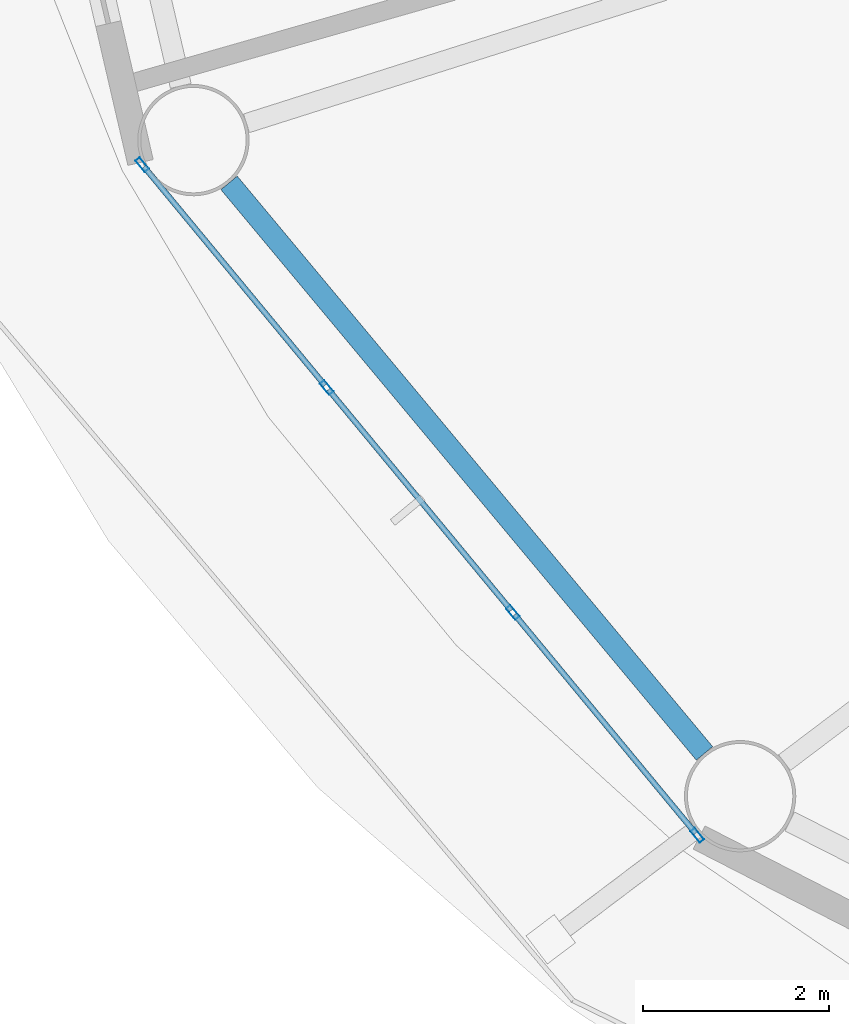
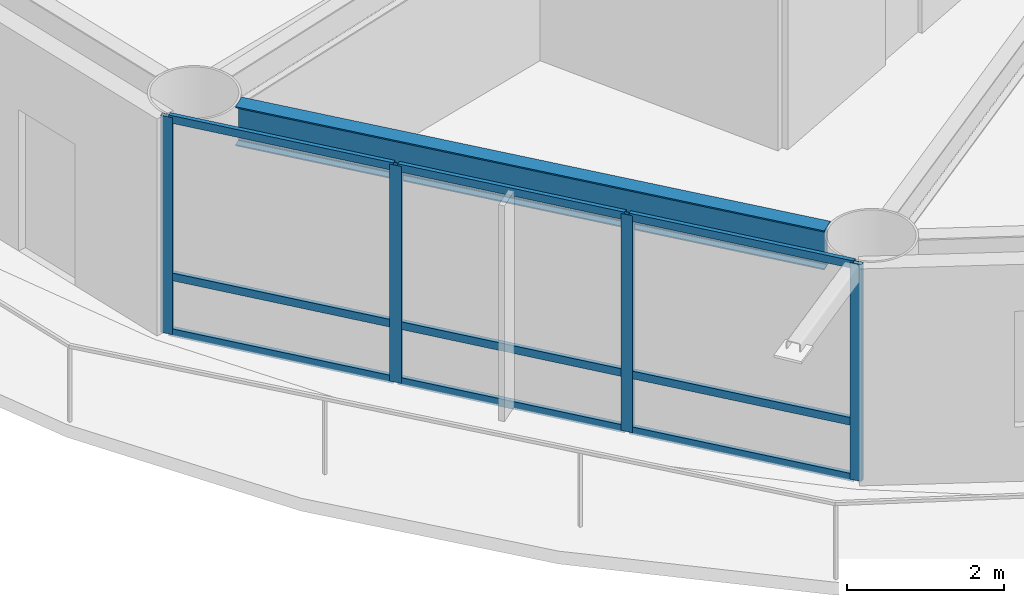
# One storey, part 2 of 24: 13 members, 1 beam, 1 element without a shape of its own.
"""IFC4 building model written with IfcOpenShell, lengths in metres."""

from ifc_helpers import new_model, si_unit, direction, frame, origin, origin_2d, place, context, subcontext, project, spatial, hollow_rectangle, i_section, extrude, material, layer, layer_set, material_profile, profile_set, type_object, element, aggregate, save


model = new_model("IFC4")

# Units and contexts
model_context = context("Model", 3, precision=1e-05, world=origin(), true_north=direction((0.0, 1.0)))
body_context = subcontext(model_context, "Body", "Model", "MODEL_VIEW")
ifc_project = project(units=[si_unit("LENGTHUNIT", "METRE"), si_unit("AREAUNIT", "SQUARE_METRE"), si_unit("VOLUMEUNIT", "CUBIC_METRE"), si_unit("PLANEANGLEUNIT", "RADIAN"), si_unit("MASSUNIT", "GRAM", prefix="KILO")], contexts=[model_context])

# Site, building, storey
site_placement = place(None, origin())
site = spatial("IfcSite", under=ifc_project, at=site_placement, CompositionType="ELEMENT")
building_placement = place(site_placement, origin())
building = spatial("IfcBuilding", under=site, at=building_placement, Name="Sarneth Arch Tower", CompositionType="ELEMENT")
storey_placement = place(building_placement, frame((0.0, 0.0, 102.0)))
storey = spatial("IfcBuildingStorey", under=building, at=storey_placement, Name="L25", CompositionType="ELEMENT", Elevation=102.0)

# Beam
ifc_material_1 = material(Name="Steel S355", Category="steel")
ifc_material_profile_1 = material_profile(ifc_material_1, i_section(OverallWidth=0.22900390625, OverallDepth=0.612060546875, WebThickness=0.011962890625, FlangeThickness=0.01953125, FilletRadius=0.01904296875, at=origin_2d()), Name="W610x125")
ifc_profile_set_1 = profile_set([ifc_material_profile_1], Name="Steel S355")
beam_type = type_object("IfcBeamType", Name="BM-SPAN-610C", PredefinedType="SPANDREL", material=ifc_profile_set_1)
beam_placement = place(storey_placement, frame((22.093017578125, 33.196533203125, 3.073974609375), z_axis=(0.640163403463, -0.768238775946, 0.0), x_axis=(0.768238775946, 0.640163403463, 0.0)))
element("IfcBeam", 1, at=beam_placement, inside=storey, type_object=beam_type, Name="L25 Perimeter spandrel beam 10", PredefinedType="SPANDREL", context=body_context, shape_type="SweptSolid", body=[
    extrude(i_section(OverallWidth=0.22900390625, OverallDepth=0.612060546875, WebThickness=0.011962890625, FlangeThickness=0.01953125, FilletRadius=0.01904296875, at=origin_2d()), origin(), (0.0, 0.0, 1.0), 8.006103515625),
])

# Curtain wall, members
ifc_material_2 = material(Name="Anodised aluminium Type AA25 and solar-control low-e laminated IGU", Category="aluminium")
ifc_layer = layer(ifc_material_2, 0.159912109375)
ifc_layer_set = layer_set([ifc_layer], Name="Anodised aluminium Type AA25 and solar-control low-e laminated IGU")
curtain_wall_type = type_object("IfcCurtainWallType", Name="CW-HOTEL-MID", PredefinedType="NOTDEFINED", material=ifc_layer_set)
curtain_wall_placement = place(storey_placement, origin())
curtain_wall = element("IfcCurtainWall", 2, at=curtain_wall_placement, inside=storey, type_object=curtain_wall_type, Name="L25 Unitised curtain wall facet 10", PredefinedType="NOTDEFINED")
ifc_material_3 = material(Name="Anodised Aluminium 6063-T6", Category="aluminium")
ifc_material_profile_2 = material_profile(ifc_material_3, hollow_rectangle(XDim=0.06005859375, YDim=0.159912109375, WallThickness=0.00390625, at=origin_2d()), Name="AL-MULL-160x60x4")
ifc_profile_set_2 = profile_set([ifc_material_profile_2], Name="Anodised Aluminium 6063-T6")
member_type_1 = type_object("IfcMemberType", Name="CW-MULLION", PredefinedType="MULLION", material=ifc_profile_set_2)
member_1_placement = place(storey_placement, frame((21.15771484375, 33.393310546875, 0.0), z_axis=(0.0, 0.0, 1.0), x_axis=(0.770437787363, 0.637515188684, 0.0)))
member_1 = element("IfcMember", 3, at=member_1_placement, type_object=member_type_1, Name="CW-SYS-4 mullion 1", PredefinedType="MULLION", context=body_context, shape_type="SweptSolid", body=[
    extrude(hollow_rectangle(XDim=0.06005859375, YDim=0.159912109375, WallThickness=0.00390625, at=origin_2d()), origin(), (0.0, 0.0, 1.0), 3.3798828125),
])
member_2_placement = place(storey_placement, frame((23.145751953125, 30.99072265625, 0.0), z_axis=(0.0, 0.0, 1.0), x_axis=(0.770437787363, 0.637515188684, 0.0)))
member_2 = element("IfcMember", 4, at=member_2_placement, type_object=member_type_1, Name="CW-SYS-4 mullion 2", PredefinedType="MULLION", context=body_context, shape_type="SweptSolid", body=[
    extrude(hollow_rectangle(XDim=0.06005859375, YDim=0.159912109375, WallThickness=0.00390625, at=origin_2d()), origin(), (0.0, 0.0, 1.0), 3.3798828125),
])
member_3_placement = place(storey_placement, frame((25.15283203125, 28.565185546875, 0.0), z_axis=(0.0, 0.0, 1.0), x_axis=(0.770437787363, 0.637515188684, 0.0)))
member_3 = element("IfcMember", 5, at=member_3_placement, type_object=member_type_1, Name="CW-SYS-4 mullion 3", PredefinedType="MULLION", context=body_context, shape_type="SweptSolid", body=[
    extrude(hollow_rectangle(XDim=0.06005859375, YDim=0.159912109375, WallThickness=0.00390625, at=origin_2d()), origin(), (0.0, 0.0, 1.0), 3.3798828125),
])
member_4_placement = place(storey_placement, frame((27.140869140625, 26.16259765625, 0.0), z_axis=(0.0, 0.0, 1.0), x_axis=(0.770437787363, 0.637515188684, 0.0)))
member_4 = element("IfcMember", 6, at=member_4_placement, type_object=member_type_1, Name="CW-SYS-4 mullion 4", PredefinedType="MULLION", context=body_context, shape_type="SweptSolid", body=[
    extrude(hollow_rectangle(XDim=0.06005859375, YDim=0.159912109375, WallThickness=0.00390625, at=origin_2d()), origin(), (0.0, 0.0, 1.0), 3.3798828125),
])
ifc_material_4 = material(Name="Anodised Aluminium 6063-T6", Category="aluminium")
ifc_material_profile_3 = material_profile(ifc_material_4, hollow_rectangle(XDim=0.06005859375, YDim=0.1201171875, WallThickness=0.00390625, at=origin_2d()), Name="AL-TRAN-120x60x4")
ifc_profile_set_3 = profile_set([ifc_material_profile_3], Name="Anodised Aluminium 6063-T6")
member_type_2 = type_object("IfcMemberType", Name="CW-TRANSOM", PredefinedType="USERDEFINED", material=ifc_profile_set_3)
member_5_placement = place(storey_placement, frame((21.1767578125, 33.3701171875, 0.030029296875), z_axis=(0.637566080343, -0.770395673142, 0.0), x_axis=(0.770395673142, 0.637566080343, 0.0)))
member_5 = element("IfcMember", 7, at=member_5_placement, type_object=member_type_2, Name="CW-SYS-4 transom 1.1", ObjectType="TRANSOM", PredefinedType="USERDEFINED", context=body_context, shape_type="SweptSolid", body=[
    extrude(hollow_rectangle(XDim=0.06005859375, YDim=0.1201171875, WallThickness=0.00390625, at=origin_2d()), origin(), (0.0, 0.0, 1.0), 3.058349609375),
])
member_6_placement = place(storey_placement, frame((21.1767578125, 33.3701171875, 0.89990234375), z_axis=(0.637566080343, -0.770395673142, 0.0), x_axis=(0.770395673142, 0.637566080343, 0.0)))
member_6 = element("IfcMember", 8, at=member_6_placement, type_object=member_type_2, Name="CW-SYS-4 transom 1.2", ObjectType="TRANSOM", PredefinedType="USERDEFINED", context=body_context, shape_type="SweptSolid", body=[
    extrude(hollow_rectangle(XDim=0.06005859375, YDim=0.1201171875, WallThickness=0.00390625, at=origin_2d()), origin(), (0.0, 0.0, 1.0), 3.058349609375),
])
member_7_placement = place(storey_placement, frame((21.1767578125, 33.3701171875, 3.35009765625), z_axis=(0.637566080343, -0.770395673142, 0.0), x_axis=(0.770395673142, 0.637566080343, 0.0)))
member_7 = element("IfcMember", 9, at=member_7_placement, type_object=member_type_2, Name="CW-SYS-4 transom 1.3", ObjectType="TRANSOM", PredefinedType="USERDEFINED", context=body_context, shape_type="SweptSolid", body=[
    extrude(hollow_rectangle(XDim=0.06005859375, YDim=0.1201171875, WallThickness=0.00390625, at=origin_2d()), origin(), (0.0, 0.0, 1.0), 3.058349609375),
])
member_8_placement = place(storey_placement, frame((23.164794921875, 30.9677734375, 0.030029296875), z_axis=(0.637536975021, -0.770419759275, 0.0), x_axis=(0.770419759275, 0.637536975021, 0.0)))
member_8 = element("IfcMember", 10, at=member_8_placement, type_object=member_type_2, Name="CW-SYS-4 transom 2.1", ObjectType="TRANSOM", PredefinedType="USERDEFINED", context=body_context, shape_type="SweptSolid", body=[
    extrude(hollow_rectangle(XDim=0.06005859375, YDim=0.1201171875, WallThickness=0.00390625, at=origin_2d()), origin(), (0.0, 0.0, 1.0), 3.08837890625),
])
member_9_placement = place(storey_placement, frame((23.164794921875, 30.9677734375, 0.89990234375), z_axis=(0.637536975021, -0.770419759275, 0.0), x_axis=(0.770419759275, 0.637536975021, 0.0)))
member_9 = element("IfcMember", 11, at=member_9_placement, type_object=member_type_2, Name="CW-SYS-4 transom 2.2", ObjectType="TRANSOM", PredefinedType="USERDEFINED", context=body_context, shape_type="SweptSolid", body=[
    extrude(hollow_rectangle(XDim=0.06005859375, YDim=0.1201171875, WallThickness=0.00390625, at=origin_2d()), origin(), (0.0, 0.0, 1.0), 3.08837890625),
])
member_10_placement = place(storey_placement, frame((23.164794921875, 30.9677734375, 3.35009765625), z_axis=(0.637536975021, -0.770419759275, 0.0), x_axis=(0.770419759275, 0.637536975021, 0.0)))
member_10 = element("IfcMember", 12, at=member_10_placement, type_object=member_type_2, Name="CW-SYS-4 transom 2.3", ObjectType="TRANSOM", PredefinedType="USERDEFINED", context=body_context, shape_type="SweptSolid", body=[
    extrude(hollow_rectangle(XDim=0.06005859375, YDim=0.1201171875, WallThickness=0.00390625, at=origin_2d()), origin(), (0.0, 0.0, 1.0), 3.08837890625),
])
member_11_placement = place(storey_placement, frame((25.171875, 28.5419921875, 0.030029296875), z_axis=(0.637566080343, -0.770395673142, 0.0), x_axis=(0.770395673142, 0.637566080343, 0.0)))
member_11 = element("IfcMember", 13, at=member_11_placement, type_object=member_type_2, Name="CW-SYS-4 transom 3.1", ObjectType="TRANSOM", PredefinedType="USERDEFINED", context=body_context, shape_type="SweptSolid", body=[
    extrude(hollow_rectangle(XDim=0.06005859375, YDim=0.1201171875, WallThickness=0.00390625, at=origin_2d()), origin(), (0.0, 0.0, 1.0), 3.058349609375),
])
member_12_placement = place(storey_placement, frame((25.171875, 28.5419921875, 0.89990234375), z_axis=(0.637566080343, -0.770395673142, 0.0), x_axis=(0.770395673142, 0.637566080343, 0.0)))
member_12 = element("IfcMember", 14, at=member_12_placement, type_object=member_type_2, Name="CW-SYS-4 transom 3.2", ObjectType="TRANSOM", PredefinedType="USERDEFINED", context=body_context, shape_type="SweptSolid", body=[
    extrude(hollow_rectangle(XDim=0.06005859375, YDim=0.1201171875, WallThickness=0.00390625, at=origin_2d()), origin(), (0.0, 0.0, 1.0), 3.058349609375),
])
member_13_placement = place(storey_placement, frame((25.171875, 28.5419921875, 3.35009765625), z_axis=(0.637566080343, -0.770395673142, 0.0), x_axis=(0.770395673142, 0.637566080343, 0.0)))
member_13 = element("IfcMember", 15, at=member_13_placement, type_object=member_type_2, Name="CW-SYS-4 transom 3.3", ObjectType="TRANSOM", PredefinedType="USERDEFINED", context=body_context, shape_type="SweptSolid", body=[
    extrude(hollow_rectangle(XDim=0.06005859375, YDim=0.1201171875, WallThickness=0.00390625, at=origin_2d()), origin(), (0.0, 0.0, 1.0), 3.058349609375),
])
aggregate(curtain_wall, [member_1, member_2, member_3, member_4, member_5, member_6, member_7, member_8, member_9, member_10, member_11, member_12, member_13])

save(model, "model.ifc")
